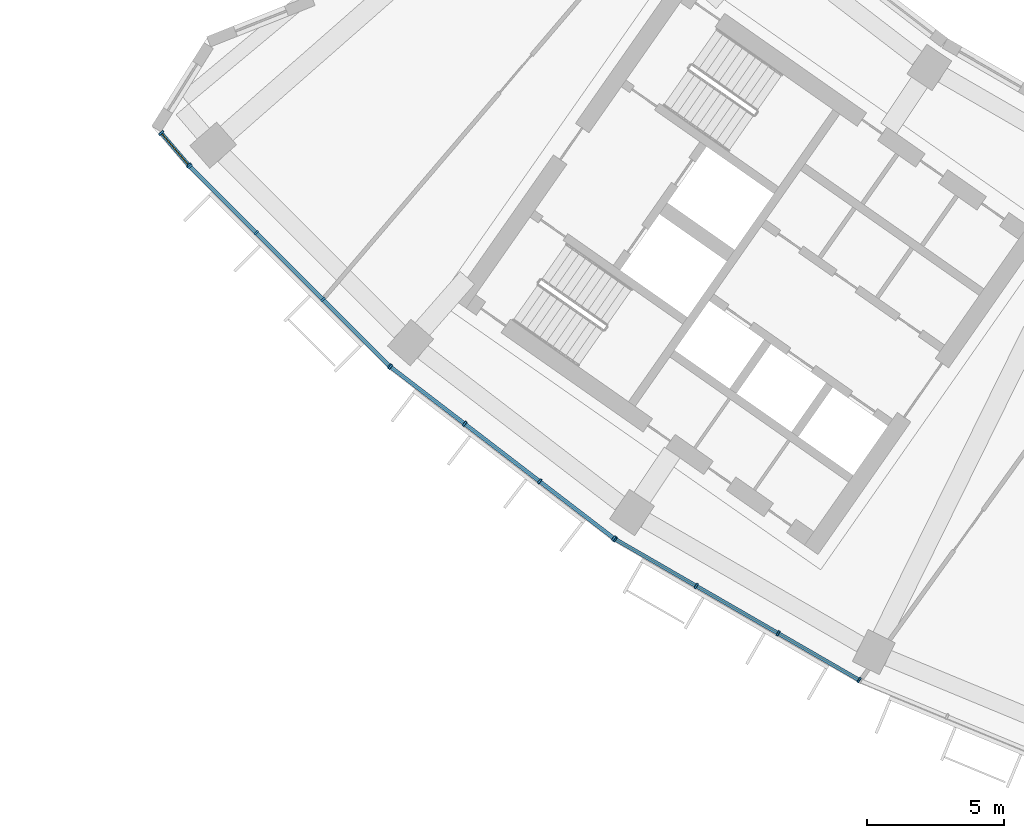
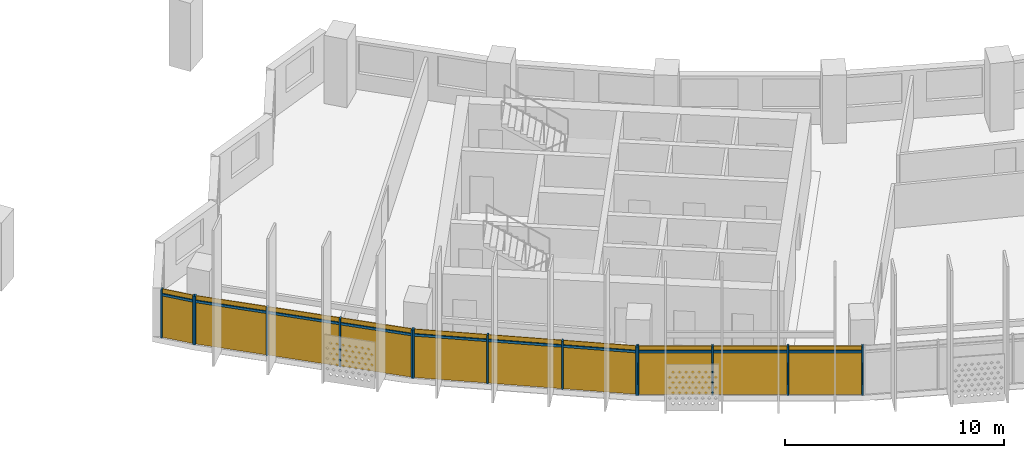
# One storey, part 17 of 26: 24 members, 4 curtain walls.
"""IFC4 building model written with IfcOpenShell, lengths in metres."""

from ifc_helpers import new_model, si_unit, direction, frame, origin, origin_2d, place, context, subcontext, project, spatial, rectangle, extrude, material, material_profile, profile_set, type_object, element, aggregate, save


model = new_model("IFC4")

# Units and contexts
model_context = context("Model", 3, precision=1e-05, world=origin(), true_north=direction((0.0, 1.0)))
body_context = subcontext(model_context, "Body", "Model", "MODEL_VIEW")
ifc_project = project(units=[si_unit("LENGTHUNIT", "METRE"), si_unit("AREAUNIT", "SQUARE_METRE"), si_unit("VOLUMEUNIT", "CUBIC_METRE"), si_unit("PLANEANGLEUNIT", "RADIAN"), si_unit("MASSUNIT", "GRAM", prefix="KILO")], contexts=[model_context])

# Member
ifc_material = material(Name="Aluminium 6063-T6 anodised", Category="aluminium")
ifc_material_profile_1 = material_profile(ifc_material, rectangle(XDim=0.199951171875, YDim=0.070068359375, at=origin_2d()))
ifc_profile_set_1 = profile_set([ifc_material_profile_1], Name="Aluminium 6063-T6 anodised")
member_type_1 = type_object("IfcMemberType", Name="Mullion 70 x 200 aluminium", PredefinedType="MULLION", material=ifc_profile_set_1)
site_placement = place(None, origin())
building_placement = place(site_placement, origin())
storey_placement = place(building_placement, frame((0.0, 0.0, 156.89990234375)))
member_1_placement = place(storey_placement, frame((-60.347900390625, -50.820068359375, 0.0), z_axis=(0.0, 0.0, 1.0), x_axis=(0.760138256011, 0.649761365233, 0.0)))
member_1 = element("IfcMember", 1, at=member_1_placement, type_object=member_type_1, Name="e-cw1-L36-out00/M00", PredefinedType="MULLION", context=body_context, shape_type="SweptSolid", body=[
    extrude(rectangle(XDim=0.199951171875, YDim=0.070068359375, at=origin_2d()), origin(), (0.0, 0.0, 1.0), 2.7001953125),
])

member_2_placement = place(storey_placement, frame((-59.342041015625, -51.996826171875, 0.0), z_axis=(0.0, 0.0, 1.0), x_axis=(0.760138256011, 0.649761365233, 0.0)))
member_2 = element("IfcMember", 2, at=member_2_placement, type_object=member_type_1, Name="e-cw1-L36-out00/M01", PredefinedType="MULLION", context=body_context, shape_type="SweptSolid", body=[
    extrude(rectangle(XDim=0.199951171875, YDim=0.070068359375, at=origin_2d()), origin(), (0.0, 0.0, 1.0), 2.7001953125),
])

member_3_placement = place(storey_placement, frame((-59.2998046875, -52.042236328125, 0.0), z_axis=(0.0, 0.0, 1.0), x_axis=(0.707106781187, 0.707106781187, 0.0)))
member_3 = element("IfcMember", 3, at=member_3_placement, type_object=member_type_1, Name="e-cw1-L36-out01/M00", PredefinedType="MULLION", context=body_context, shape_type="SweptSolid", body=[
    extrude(rectangle(XDim=0.199951171875, YDim=0.070068359375, at=origin_2d()), origin(), (0.0, 0.0, 1.0), 2.7001953125),
])

member_4_placement = place(storey_placement, frame((-56.888916015625, -54.453369140625, 0.0), z_axis=(0.0, 0.0, 1.0), x_axis=(0.707106781187, 0.707106781187, 0.0)))
member_4 = element("IfcMember", 4, at=member_4_placement, type_object=member_type_1, Name="e-cw1-L36-out01/M01", PredefinedType="MULLION", context=body_context, shape_type="SweptSolid", body=[
    extrude(rectangle(XDim=0.199951171875, YDim=0.070068359375, at=origin_2d()), origin(), (0.0, 0.0, 1.0), 2.7001953125),
])

member_5_placement = place(storey_placement, frame((-54.453369140625, -56.888916015625, 0.0), z_axis=(0.0, 0.0, 1.0), x_axis=(0.707106781187, 0.707106781187, 0.0)))
member_5 = element("IfcMember", 5, at=member_5_placement, type_object=member_type_1, Name="e-cw1-L36-out01/M02", PredefinedType="MULLION", context=body_context, shape_type="SweptSolid", body=[
    extrude(rectangle(XDim=0.199951171875, YDim=0.070068359375, at=origin_2d()), origin(), (0.0, 0.0, 1.0), 2.7001953125),
])

member_6_placement = place(storey_placement, frame((-52.042236328125, -59.2998046875, 0.0), z_axis=(0.0, 0.0, 1.0), x_axis=(0.707106781187, 0.707106781187, 0.0)))
member_6 = element("IfcMember", 6, at=member_6_placement, type_object=member_type_1, Name="e-cw1-L36-out01/M03", PredefinedType="MULLION", context=body_context, shape_type="SweptSolid", body=[
    extrude(rectangle(XDim=0.199951171875, YDim=0.070068359375, at=origin_2d()), origin(), (0.0, 0.0, 1.0), 2.7001953125),
])

member_7_placement = place(storey_placement, frame((-51.999755859375, -59.33740234375, 0.0), z_axis=(0.0, 0.0, 1.0), x_axis=(0.608761429009, 0.793353340291, 0.0)))
member_7 = element("IfcMember", 7, at=member_7_placement, type_object=member_type_1, Name="e-cw1-L36-out02/M00", PredefinedType="MULLION", context=body_context, shape_type="SweptSolid", body=[
    extrude(rectangle(XDim=0.199951171875, YDim=0.070068359375, at=origin_2d()), origin(), (0.0, 0.0, 1.0), 2.7001953125),
])

member_8_placement = place(storey_placement, frame((-49.294677734375, -61.412841796875, 0.0), z_axis=(0.0, 0.0, 1.0), x_axis=(0.608761429009, 0.793353340291, 0.0)))
member_8 = element("IfcMember", 8, at=member_8_placement, type_object=member_type_1, Name="e-cw1-L36-out02/M01", PredefinedType="MULLION", context=body_context, shape_type="SweptSolid", body=[
    extrude(rectangle(XDim=0.199951171875, YDim=0.070068359375, at=origin_2d()), origin(), (0.0, 0.0, 1.0), 2.7001953125),
])

member_9_placement = place(storey_placement, frame((-46.56201171875, -63.509765625, 0.0), z_axis=(0.0, 0.0, 1.0), x_axis=(0.608761429009, 0.793353340291, 0.0)))
member_9 = element("IfcMember", 9, at=member_9_placement, type_object=member_type_1, Name="e-cw1-L36-out02/M02", PredefinedType="MULLION", context=body_context, shape_type="SweptSolid", body=[
    extrude(rectangle(XDim=0.199951171875, YDim=0.070068359375, at=origin_2d()), origin(), (0.0, 0.0, 1.0), 2.7001953125),
])

member_10_placement = place(storey_placement, frame((-43.85693359375, -65.58544921875, 0.0), z_axis=(0.0, 0.0, 1.0), x_axis=(0.608761429009, 0.793353340291, 0.0)))
member_10 = element("IfcMember", 10, at=member_10_placement, type_object=member_type_1, Name="e-cw1-L36-out02/M03", PredefinedType="MULLION", context=body_context, shape_type="SweptSolid", body=[
    extrude(rectangle(XDim=0.199951171875, YDim=0.070068359375, at=origin_2d()), origin(), (0.0, 0.0, 1.0), 2.7001953125),
])

member_11_placement = place(storey_placement, frame((-43.809814453125, -65.616943359375, 0.0), z_axis=(0.0, 0.0, 1.0), x_axis=(0.5, 0.866025403784, 0.0)))
member_11 = element("IfcMember", 11, at=member_11_placement, type_object=member_type_1, Name="e-cw1-L36-out03/M00", PredefinedType="MULLION", context=body_context, shape_type="SweptSolid", body=[
    extrude(rectangle(XDim=0.199951171875, YDim=0.070068359375, at=origin_2d()), origin(), (0.0, 0.0, 1.0), 2.7001953125),
])

member_12_placement = place(storey_placement, frame((-40.85693359375, -67.32177734375, 0.0), z_axis=(0.0, 0.0, 1.0), x_axis=(0.5, 0.866025403784, 0.0)))
member_12 = element("IfcMember", 12, at=member_12_placement, type_object=member_type_1, Name="e-cw1-L36-out03/M01", PredefinedType="MULLION", context=body_context, shape_type="SweptSolid", body=[
    extrude(rectangle(XDim=0.199951171875, YDim=0.070068359375, at=origin_2d()), origin(), (0.0, 0.0, 1.0), 2.7001953125),
])

member_13_placement = place(storey_placement, frame((-37.873779296875, -69.0439453125, 0.0), z_axis=(0.0, 0.0, 1.0), x_axis=(0.5, 0.866025403784, 0.0)))
member_13 = element("IfcMember", 13, at=member_13_placement, type_object=member_type_1, Name="e-cw1-L36-out03/M02", PredefinedType="MULLION", context=body_context, shape_type="SweptSolid", body=[
    extrude(rectangle(XDim=0.199951171875, YDim=0.070068359375, at=origin_2d()), origin(), (0.0, 0.0, 1.0), 2.7001953125),
])

member_14_placement = place(storey_placement, frame((-34.921142578125, -70.748779296875, 0.0), z_axis=(0.0, 0.0, 1.0), x_axis=(0.5, 0.866025403784, 0.0)))
member_14 = element("IfcMember", 14, at=member_14_placement, type_object=member_type_1, Name="e-cw1-L36-out03/M03", PredefinedType="MULLION", context=body_context, shape_type="SweptSolid", body=[
    extrude(rectangle(XDim=0.199951171875, YDim=0.070068359375, at=origin_2d()), origin(), (0.0, 0.0, 1.0), 2.7001953125),
])

ifc_material_profile_2 = material_profile(ifc_material, rectangle(XDim=0.139892578125, YDim=0.1201171875, at=origin_2d()))
ifc_profile_set_2 = profile_set([ifc_material_profile_2], Name="Aluminium 6063-T6 anodised")
member_type_2 = type_object("IfcMemberType", Name="Transom 120 x 140 aluminium", PredefinedType="USERDEFINED", material=ifc_profile_set_2)
member_15_placement = place(storey_placement, frame((-60.3251953125, -50.8466796875, 2.400146484375), z_axis=(0.649784227697, -0.760118712726, 0.0), x_axis=(0.760118712726, 0.649784227697, 0.0)))
member_15 = element("IfcMember", 15, at=member_15_placement, type_object=member_type_2, Name="e-cw1-L36-out00/T00", ObjectType="TRANSOM", PredefinedType="USERDEFINED", context=body_context, shape_type="SweptSolid", body=[
    extrude(rectangle(XDim=0.139892578125, YDim=0.1201171875, at=origin_2d()), origin(), (0.0, 0.0, 1.0), 1.47802734375),
])

member_16_placement = place(storey_placement, frame((-59.275146484375, -52.067138671875, 2.400146484375), z_axis=(0.707106781187, -0.707106781187, 0.0), x_axis=(0.707106781187, 0.707106781187, 0.0)))
member_16 = element("IfcMember", 16, at=member_16_placement, type_object=member_type_2, Name="e-cw1-L36-out01/T00", ObjectType="TRANSOM", PredefinedType="USERDEFINED", context=body_context, shape_type="SweptSolid", body=[
    extrude(rectangle(XDim=0.139892578125, YDim=0.1201171875, at=origin_2d()), origin(), (0.0, 0.0, 1.0), 3.33935546875),
])

member_17_placement = place(storey_placement, frame((-56.8642578125, -54.47802734375, 2.400146484375), z_axis=(0.707106781187, -0.707106781187, 0.0), x_axis=(0.707106781187, 0.707106781187, 0.0)))
member_17 = element("IfcMember", 17, at=member_17_placement, type_object=member_type_2, Name="e-cw1-L36-out01/T01", ObjectType="TRANSOM", PredefinedType="USERDEFINED", context=body_context, shape_type="SweptSolid", body=[
    extrude(rectangle(XDim=0.139892578125, YDim=0.1201171875, at=origin_2d()), origin(), (0.0, 0.0, 1.0), 3.374755859375),
])

member_18_placement = place(storey_placement, frame((-54.428466796875, -56.913818359375, 2.400146484375), z_axis=(0.707106781187, -0.707106781187, 0.0), x_axis=(0.707106781187, 0.707106781187, 0.0)))
member_18 = element("IfcMember", 18, at=member_18_placement, type_object=member_type_2, Name="e-cw1-L36-out01/T02", ObjectType="TRANSOM", PredefinedType="USERDEFINED", context=body_context, shape_type="SweptSolid", body=[
    extrude(rectangle(XDim=0.139892578125, YDim=0.1201171875, at=origin_2d()), origin(), (0.0, 0.0, 1.0), 3.33935546875),
])

member_19_placement = place(storey_placement, frame((-51.971923828125, -59.358642578125, 2.400146484375), z_axis=(0.793354486861, -0.608759934767, 0.0), x_axis=(0.608759934767, 0.793354486861, 0.0)))
member_19 = element("IfcMember", 19, at=member_19_placement, type_object=member_type_2, Name="e-cw1-L36-out02/T00", ObjectType="TRANSOM", PredefinedType="USERDEFINED", context=body_context, shape_type="SweptSolid", body=[
    extrude(rectangle(XDim=0.139892578125, YDim=0.1201171875, at=origin_2d()), origin(), (0.0, 0.0, 1.0), 3.339599609375),
])

member_20_placement = place(storey_placement, frame((-49.266845703125, -61.434326171875, 2.400146484375), z_axis=(0.793371081522, -0.608738307489, 0.0), x_axis=(0.608738307489, 0.793371081522, 0.0)))
member_20 = element("IfcMember", 20, at=member_20_placement, type_object=member_type_2, Name="e-cw1-L36-out02/T01", ObjectType="TRANSOM", PredefinedType="USERDEFINED", context=body_context, shape_type="SweptSolid", body=[
    extrude(rectangle(XDim=0.139892578125, YDim=0.1201171875, at=origin_2d()), origin(), (0.0, 0.0, 1.0), 3.37451171875),
])

member_21_placement = place(storey_placement, frame((-46.5341796875, -63.53125, 2.400146484375), z_axis=(0.793354486861, -0.608759934767, 0.0), x_axis=(0.608759934767, 0.793354486861, 0.0)))
member_21 = element("IfcMember", 21, at=member_21_placement, type_object=member_type_2, Name="e-cw1-L36-out02/T02", ObjectType="TRANSOM", PredefinedType="USERDEFINED", context=body_context, shape_type="SweptSolid", body=[
    extrude(rectangle(XDim=0.139892578125, YDim=0.1201171875, at=origin_2d()), origin(), (0.0, 0.0, 1.0), 3.339599609375),
])

member_22_placement = place(storey_placement, frame((-43.779541015625, -65.634521484375, 2.400146484375), z_axis=(0.866052898888, -0.49995237406, 0.0), x_axis=(0.49995237406, 0.866052898888, 0.0)))
member_22 = element("IfcMember", 22, at=member_22_placement, type_object=member_type_2, Name="e-cw1-L36-out03/T00", ObjectType="TRANSOM", PredefinedType="USERDEFINED", context=body_context, shape_type="SweptSolid", body=[
    extrude(rectangle(XDim=0.139892578125, YDim=0.1201171875, at=origin_2d()), origin(), (0.0, 0.0, 1.0), 3.339599609375),
])

member_23_placement = place(storey_placement, frame((-40.82666015625, -67.33935546875, 2.400146484375), z_axis=(0.86602172966, -0.500006363716, 0.0), x_axis=(0.500006363716, 0.86602172966, 0.0)))
member_23 = element("IfcMember", 23, at=member_23_placement, type_object=member_type_2, Name="e-cw1-L36-out03/T01", ObjectType="TRANSOM", PredefinedType="USERDEFINED", context=body_context, shape_type="SweptSolid", body=[
    extrude(rectangle(XDim=0.139892578125, YDim=0.1201171875, at=origin_2d()), origin(), (0.0, 0.0, 1.0), 3.37451171875),
])

member_24_placement = place(storey_placement, frame((-37.843505859375, -69.0615234375, 2.400146484375), z_axis=(0.866002968352, -0.500038857296, 0.0), x_axis=(0.500038857296, 0.866002968352, 0.0)))
member_24 = element("IfcMember", 24, at=member_24_placement, type_object=member_type_2, Name="e-cw1-L36-out03/T02", ObjectType="TRANSOM", PredefinedType="USERDEFINED", context=body_context, shape_type="SweptSolid", body=[
    extrude(rectangle(XDim=0.139892578125, YDim=0.1201171875, at=origin_2d()), origin(), (0.0, 0.0, 1.0), 3.339599609375),
])

# Site, building, storey
site = spatial("IfcSite", under=ifc_project, at=site_placement, CompositionType="ELEMENT")
building = spatial("IfcBuilding", under=site, at=building_placement, Name="Qamariyya Broadcast Tower", CompositionType="ELEMENT")
storey = spatial("IfcBuildingStorey", under=building, at=storey_placement, Name="L36", CompositionType="ELEMENT", Elevation=156.89990234375)

# Curtain wall
curtain_wall_type = type_object("IfcCurtainWallType", Name="Unitised curtain wall, anodised aluminium", PredefinedType="NOTDEFINED", material=ifc_material)
curtain_wall_1_placement = place(storey_placement, origin())
curtain_wall_1 = element("IfcCurtainWall", 25, at=curtain_wall_1_placement, inside=storey, type_object=curtain_wall_type, Name="e-cw1-L36-out00", PredefinedType="NOTDEFINED", context=body_context, shape_type="SweptSolid", body=[
    extrude(rectangle(XDim=1.47802734375, YDim=0.031982421875, at=origin_2d()), frame((-59.844970703125, -51.408447265625, 0.0), x_axis=(0.64972208947, -0.760171826928, 0.0)), (0.0, 0.0, 1.0), 2.340087890625),
    extrude(rectangle(XDim=1.47802734375, YDim=0.031982421875, at=origin_2d()), frame((-59.844970703125, -51.408447265625, 2.460205078125), x_axis=(0.64972208947, -0.760171826928, 0.0)), (0.0, 0.0, 1.0), 0.239990234375),
])

aggregate(curtain_wall_1, [member_1, member_2, member_15])

curtain_wall_2_placement = place(storey_placement, origin())
curtain_wall_2 = element("IfcCurtainWall", 26, at=curtain_wall_2_placement, inside=storey, type_object=curtain_wall_type, Name="e-cw1-L36-out01", PredefinedType="NOTDEFINED", context=body_context, shape_type="SweptSolid", body=[
    extrude(rectangle(XDim=3.339599609375, YDim=0.031982421875, at=origin_2d()), frame((-58.094482421875, -53.247802734375, 0.0), x_axis=(0.707106781187, -0.707106781187, 0.0)), (0.0, 0.0, 1.0), 2.340087890625),
    extrude(rectangle(XDim=3.339599609375, YDim=0.031982421875, at=origin_2d()), frame((-58.094482421875, -53.247802734375, 2.460205078125), x_axis=(0.707106781187, -0.707106781187, 0.0)), (0.0, 0.0, 1.0), 0.239990234375),
    extrude(rectangle(XDim=3.37451171875, YDim=0.031982421875, at=origin_2d()), frame((-55.671142578125, -55.671142578125, 0.0), x_axis=(0.707106781187, -0.707106781187, 0.0)), (0.0, 0.0, 1.0), 2.340087890625),
    extrude(rectangle(XDim=3.37451171875, YDim=0.031982421875, at=origin_2d()), frame((-55.671142578125, -55.671142578125, 2.460205078125), x_axis=(0.707106781187, -0.707106781187, 0.0)), (0.0, 0.0, 1.0), 0.239990234375),
    extrude(rectangle(XDim=3.339599609375, YDim=0.031982421875, at=origin_2d()), frame((-53.247802734375, -58.094482421875, 0.0), x_axis=(0.707106781187, -0.707106781187, 0.0)), (0.0, 0.0, 1.0), 2.340087890625),
    extrude(rectangle(XDim=3.339599609375, YDim=0.031982421875, at=origin_2d()), frame((-53.247802734375, -58.094482421875, 2.460205078125), x_axis=(0.707106781187, -0.707106781187, 0.0)), (0.0, 0.0, 1.0), 0.239990234375),
])

aggregate(curtain_wall_2, [member_3, member_4, member_5, member_6, member_16, member_17, member_18])

curtain_wall_3_placement = place(storey_placement, origin())
curtain_wall_3 = element("IfcCurtainWall", 27, at=curtain_wall_3_placement, inside=storey, type_object=curtain_wall_type, Name="e-cw1-L36-out02", PredefinedType="NOTDEFINED", context=body_context, shape_type="SweptSolid", body=[
    extrude(rectangle(XDim=3.339599609375, YDim=0.031982421875, at=origin_2d()), frame((-50.64697265625, -60.375, 0.0), x_axis=(0.793351517557, -0.608763804434, 0.0)), (0.0, 0.0, 1.0), 2.340087890625),
    extrude(rectangle(XDim=3.339599609375, YDim=0.031982421875, at=origin_2d()), frame((-50.64697265625, -60.375, 2.460205078125), x_axis=(0.793351517557, -0.608763804434, 0.0)), (0.0, 0.0, 1.0), 0.239990234375),
    extrude(rectangle(XDim=3.37451171875, YDim=0.031982421875, at=origin_2d()), frame((-47.92822265625, -62.46142578125, 0.0), x_axis=(0.793351517557, -0.608763804434, 0.0)), (0.0, 0.0, 1.0), 2.340087890625),
    extrude(rectangle(XDim=3.37451171875, YDim=0.031982421875, at=origin_2d()), frame((-47.92822265625, -62.46142578125, 2.460205078125), x_axis=(0.793351517557, -0.608763804434, 0.0)), (0.0, 0.0, 1.0), 0.239990234375),
    extrude(rectangle(XDim=3.339599609375, YDim=0.031982421875, at=origin_2d()), frame((-45.20947265625, -64.547607421875, 0.0), x_axis=(0.793351517557, -0.608763804434, 0.0)), (0.0, 0.0, 1.0), 2.340087890625),
    extrude(rectangle(XDim=3.339599609375, YDim=0.031982421875, at=origin_2d()), frame((-45.20947265625, -64.547607421875, 2.460205078125), x_axis=(0.793351517557, -0.608763804434, 0.0)), (0.0, 0.0, 1.0), 0.239990234375),
])

aggregate(curtain_wall_3, [member_7, member_8, member_9, member_10, member_19, member_20, member_21])

curtain_wall_4_placement = place(storey_placement, origin())
curtain_wall_4 = element("IfcCurtainWall", 28, at=curtain_wall_4_placement, inside=storey, type_object=curtain_wall_type, Name="e-cw1-L36-out03", PredefinedType="NOTDEFINED", context=body_context, shape_type="SweptSolid", body=[
    extrude(rectangle(XDim=3.339599609375, YDim=0.031982421875, at=origin_2d()), frame((-42.33349609375, -66.469482421875, 0.0), x_axis=(0.866028999376, -0.499993772201, 0.0)), (0.0, 0.0, 1.0), 2.340087890625),
    extrude(rectangle(XDim=3.339599609375, YDim=0.031982421875, at=origin_2d()), frame((-42.33349609375, -66.469482421875, 2.460205078125), x_axis=(0.866028999376, -0.499993772201, 0.0)), (0.0, 0.0, 1.0), 0.239990234375),
    extrude(rectangle(XDim=3.37451171875, YDim=0.031982421875, at=origin_2d()), frame((-39.365478515625, -68.18310546875, 0.0), x_axis=(0.866028999376, -0.499993772201, 0.0)), (0.0, 0.0, 1.0), 2.340087890625),
    extrude(rectangle(XDim=3.37451171875, YDim=0.031982421875, at=origin_2d()), frame((-39.365478515625, -68.18310546875, 2.460205078125), x_axis=(0.866028999376, -0.499993772201, 0.0)), (0.0, 0.0, 1.0), 0.239990234375),
    extrude(rectangle(XDim=3.339599609375, YDim=0.031982421875, at=origin_2d()), frame((-36.3974609375, -69.896484375, 0.0), x_axis=(0.866028999376, -0.499993772201, 0.0)), (0.0, 0.0, 1.0), 2.340087890625),
    extrude(rectangle(XDim=3.339599609375, YDim=0.031982421875, at=origin_2d()), frame((-36.3974609375, -69.896484375, 2.460205078125), x_axis=(0.866028999376, -0.499993772201, 0.0)), (0.0, 0.0, 1.0), 0.239990234375),
])

aggregate(curtain_wall_4, [member_11, member_12, member_13, member_14, member_22, member_23, member_24])

save(model, "model.ifc")
